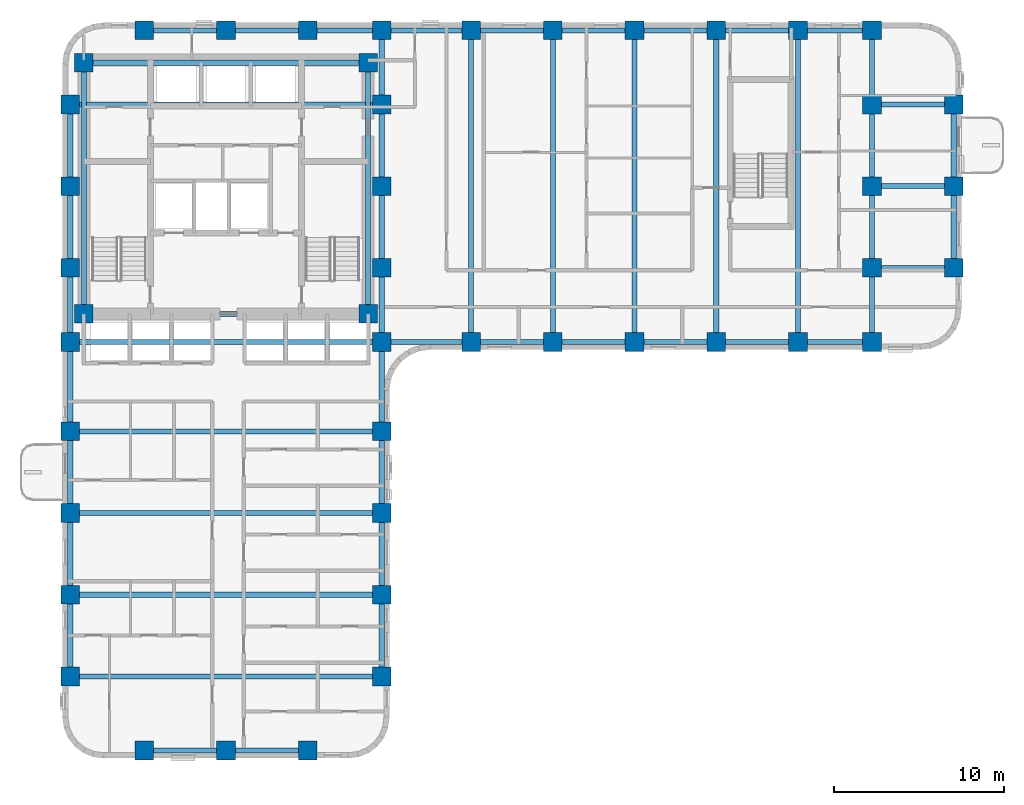
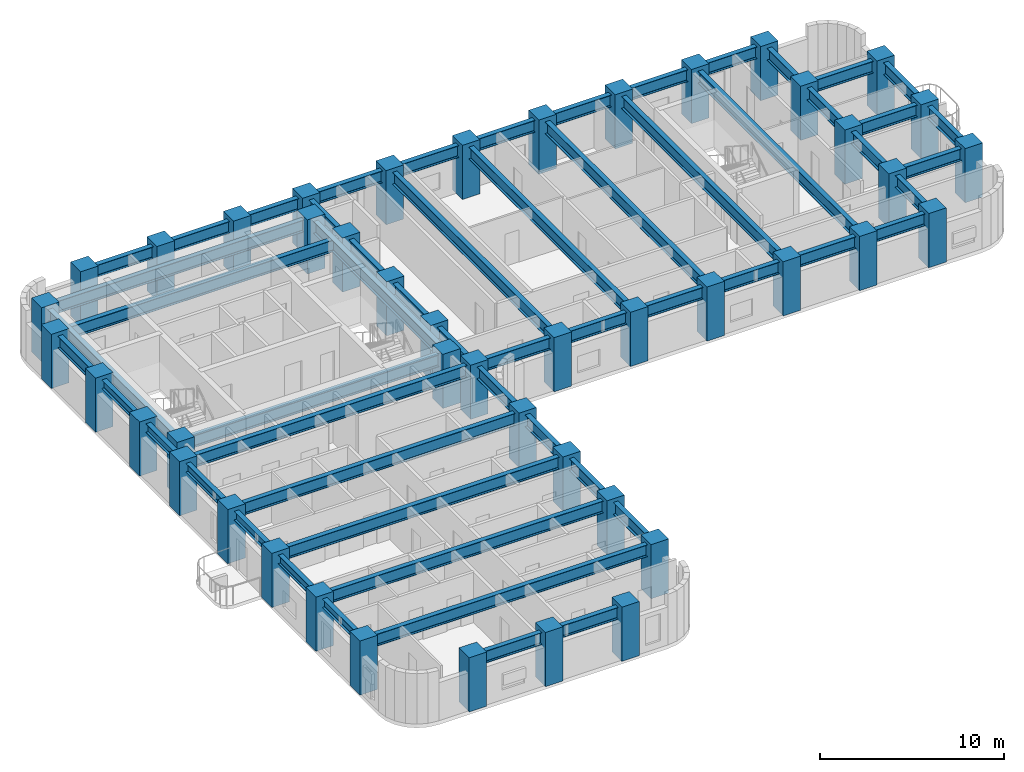
# One storey, part 1 of 11: 56 beams, 45 columns.
"""IFC4 building model written with IfcOpenShell, lengths in metres."""

from ifc_helpers import new_model, si_unit, direction, frame, origin, origin_2d, place, context, subcontext, project, spatial, rectangle, i_section, extrude, material, material_profile, profile_set, type_object, element, save


model = new_model("IFC4")

# Units and contexts
model_context = context("Model", 3, precision=1e-05, world=origin(), true_north=direction((0.0, 1.0)))
body_context = subcontext(model_context, "Body", "Model", "MODEL_VIEW")
ifc_project = project(units=[si_unit("LENGTHUNIT", "METRE"), si_unit("AREAUNIT", "SQUARE_METRE"), si_unit("VOLUMEUNIT", "CUBIC_METRE"), si_unit("PLANEANGLEUNIT", "RADIAN"), si_unit("MASSUNIT", "GRAM", prefix="KILO")], contexts=[model_context])

# Site, building, storey
site_placement = place(None, origin())
site = spatial("IfcSite", under=ifc_project, at=site_placement, CompositionType="ELEMENT")
building_placement = place(site_placement, origin())
building = spatial("IfcBuilding", under=site, at=building_placement, Name="Orvandelia Arch Residences", CompositionType="ELEMENT")
storey_placement = place(building_placement, frame((0.0, 0.0, 64.60009765625)))
storey = spatial("IfcBuildingStorey", under=building, at=storey_placement, Name="L16", CompositionType="ELEMENT", Elevation=64.60009765625)

# Columns
ifc_material_1 = material(Name="Concrete C80/95", Category="concrete")
ifc_material_profile_1 = material_profile(ifc_material_1, rectangle(XDim=1.10009765625, YDim=1.10009765625, at=origin_2d()), Name="Concrete C80/95", Category="concrete")
ifc_profile_set_1 = profile_set([ifc_material_profile_1], Name="Concrete C80/95")
column_type = type_object("IfcColumnType", Name="COL-TWR-1100", PredefinedType="COLUMN", material=ifc_profile_set_1)
for number, where, z_axis, x_axis, name in (
    (1, (5.25, 9.60009765625, 0.0), (0.0, 0.0, 1.0), (1.0, 0.0, 0.0), "Structural Column L16-W-W-96"),
    (2, (5.25, 14.39990234375, 0.0), (0.0, 0.0, 1.0), (1.0, 0.0, 0.0), "Structural Column L16-W-W-144"),
    (3, (5.25, 19.199951171875, 0.0), (0.0, 0.0, 1.0), (1.0, 0.0, 0.0), "Structural Column L16-W-W-192"),
    (4, (5.25, 24.0, 0.0), (0.0, 0.0, 1.0), (1.0, 0.0, 0.0), "Structural Column L16-W-W-240"),
    (5, (5.25, 29.25, 0.0), (0.0, 0.0, 1.0), (1.0, 0.0, 0.0), "Structural Column L16-W-W-292"),
    (6, (5.25, 33.60009765625, 0.0), (0.0, 0.0, 1.0), (1.0, 0.0, 0.0), "Structural Column L16-W-W-336"),
    (7, (5.25, 38.39990234375, 0.0), (0.0, 0.0, 1.0), (1.0, 0.0, 0.0), "Structural Column L16-W-W-384"),
    (8, (5.25, 43.199951171875, 0.0), (0.0, 0.0, 1.0), (1.0, 0.0, 0.0), "Structural Column L16-W-W-432"),
    (9, (6.050048828125, 30.89990234375, 0.0), (0.0, 0.0, 1.0), (1.0, 0.0, 0.0), "Structural Column L16-CR-SW"),
    (10, (6.050048828125, 45.64990234375, 0.0), (0.0, 0.0, 1.0), (1.0, 0.0, 0.0), "Structural Column L16-CR-NW"),
    (11, (9.60009765625, 5.25, 0.0), (0.0, 0.0, 1.0), (1.0, 0.0, 0.0), "Structural Column L16-W-S-96"),
    (12, (9.60009765625, 47.550048828125, 0.0), (0.0, 0.0, 1.0), (1.0, 0.0, 0.0), "Structural Column L16-W-N-96"),
    (13, (14.39990234375, 5.25, 0.0), (0.0, 0.0, 1.0), (1.0, 0.0, 0.0), "Structural Column L16-W-S-144"),
    (14, (14.39990234375, 47.550048828125, 0.0), (0.0, 0.0, 1.0), (1.0, 0.0, 0.0), "Structural Column L16-W-N-144"),
    (15, (19.199951171875, 5.25, 0.0), (0.0, 0.0, 1.0), (1.0, 0.0, 0.0), "Structural Column L16-W-S-192"),
    (16, (19.199951171875, 47.550048828125, 0.0), (0.0, 0.0, 1.0), (1.0, 0.0, 0.0), "Structural Column L16-W-N-192"),
    (17, (22.75, 30.89990234375, 0.0), (0.0, 0.0, 1.0), (1.0, 0.0, 0.0), "Structural Column L16-CR-SE"),
    (18, (22.75, 45.64990234375, 0.0), (0.0, 0.0, 1.0), (1.0, 0.0, 0.0), "Structural Column L16-CR-NE"),
    (19, (23.550048828125, 9.60009765625, 0.0), (0.0, 0.0, 1.0), (1.0, 0.0, 0.0), "Structural Column L16-W-E-96"),
    (20, (23.550048828125, 14.39990234375, 0.0), (0.0, 0.0, 1.0), (1.0, 0.0, 0.0), "Structural Column L16-W-E-144"),
    (21, (23.550048828125, 19.199951171875, 0.0), (0.0, 0.0, 1.0), (1.0, 0.0, 0.0), "Structural Column L16-W-E-192"),
    (22, (23.550048828125, 24.0, 0.0), (0.0, 0.0, 1.0), (1.0, 0.0, 0.0), "Structural Column L16-W-E-240"),
    (23, (23.550048828125, 29.25, 0.0), (0.0, 0.0, 1.0), (1.0, 0.0, 0.0), "Structural Column L16-W-E-292"),
    (24, (23.550048828125, 33.60009765625, 0.0), (0.0, 0.0, 1.0), (1.0, 0.0, 0.0), "Structural Column L16-W-E-336"),
    (25, (23.550048828125, 38.39990234375, 0.0), (0.0, 0.0, 1.0), (1.0, 0.0, 0.0), "Structural Column L16-W-E-384"),
    (26, (23.550048828125, 43.199951171875, 0.0), (0.0, 0.0, 1.0), (1.0, 0.0, 0.0), "Structural Column L16-W-E-432"),
    (27, (23.550048828125, 47.550048828125, 0.0), (0.0, 0.0, 1.0), (1.0, 0.0, 0.0), "Structural Column L16-W-N-235"),
    (28, (28.800048828125, 29.25, 0.0), (0.0, 0.0, 1.0), (1.0, 0.0, 0.0), "Structural Column L16-E-S-288"),
    (29, (28.800048828125, 47.550048828125, 0.0), (0.0, 0.0, 1.0), (1.0, 0.0, 0.0), "Structural Column L16-E-N-288"),
    (30, (33.60009765625, 29.25, 0.0), (0.0, 0.0, 1.0), (1.0, 0.0, 0.0), "Structural Column L16-E-S-336"),
    (31, (33.60009765625, 47.550048828125, 0.0), (0.0, 0.0, 1.0), (1.0, 0.0, 0.0), "Structural Column L16-E-N-336"),
    (32, (38.39990234375, 29.25, 0.0), (0.0, 0.0, 1.0), (1.0, 0.0, 0.0), "Structural Column L16-E-S-384"),
    (33, (38.39990234375, 47.550048828125, 0.0), (0.0, 0.0, 1.0), (1.0, 0.0, 0.0), "Structural Column L16-E-N-384"),
    (34, (43.199951171875, 29.25, 0.0), (0.0, 0.0, 1.0), (1.0, 0.0, 0.0), "Structural Column L16-E-S-432"),
    (35, (43.199951171875, 47.550048828125, 0.0), (0.0, 0.0, 1.0), (1.0, 0.0, 0.0), "Structural Column L16-E-N-432"),
    (36, (48.0, 29.25, 0.0), (0.0, 0.0, 1.0), (1.0, 0.0, 0.0), "Structural Column L16-E-S-480"),
    (37, (48.0, 47.550048828125, 0.0), (0.0, 0.0, 1.0), (1.0, 0.0, 0.0), "Structural Column L16-E-N-480"),
    (38, (52.35009765625, 29.25, 0.0), (0.0, 0.0, 1.0), (1.0, 0.0, 0.0), "Structural Column L16-E-S-523"),
    (39, (52.35009765625, 33.60009765625, 0.0), (0.0, 0.0, 1.0), (1.0, 0.0, 0.0), "Structural Column L16-E-523-336"),
    (40, (52.35009765625, 38.39990234375, 0.0), (0.0, 0.0, 1.0), (1.0, 0.0, 0.0), "Structural Column L16-E-523-384"),
    (41, (52.35009765625, 43.199951171875, 0.0), (0.0, 0.0, 1.0), (1.0, 0.0, 0.0), "Structural Column L16-E-523-432"),
    (42, (52.35009765625, 47.550048828125, 0.0), (0.0, 0.0, 1.0), (1.0, 0.0, 0.0), "Structural Column L16-E-N-523"),
    (43, (57.14990234375, 33.60009765625, 0.0), (0.0, 0.0, 1.0), (1.0, 0.0, 0.0), "Structural Column L16-E-571-336"),
    (44, (57.14990234375, 38.39990234375, 0.0), (0.0, 0.0, 1.0), (1.0, 0.0, 0.0), "Structural Column L16-E-571-384"),
    (45, (57.14990234375, 43.199951171875, 0.0), (0.0, 0.0, 1.0), (1.0, 0.0, 0.0), "Structural Column L16-E-571-432"),
):
    element("IfcColumn", number, at=place(storey_placement, frame(where, z_axis=z_axis, x_axis=x_axis)), inside=storey, type_object=column_type, Name=name, PredefinedType="COLUMN", context=body_context, shape_type="SweptSolid", body=[
        extrude(rectangle(XDim=1.10009765625, YDim=1.10009765625, at=origin_2d()), origin(), (0.0, 0.0, 1.0), 3.599853515625),
    ])

# Beams
ifc_material_2 = material(Name="Structural Steel SM355 (355 MPa)", Category="steel")
ifc_material_profile_2 = material_profile(ifc_material_2, i_section(OverallWidth=0.300048828125, OverallDepth=0.800048828125, WebThickness=0.013916015625, FlangeThickness=0.02587890625, FilletRadius=0.02587890625, at=origin_2d()), Name="Structural Steel SM355 (355 MPa)", Category="steel")
ifc_profile_set_2 = profile_set([ifc_material_profile_2], Name="Structural Steel SM355 (355 MPa)")
beam_type_1 = type_object("IfcBeamType", Name="BM-GRD-H800", PredefinedType="BEAM", material=ifc_profile_set_2)
beam_1_placement = place(storey_placement, frame((5.25, 38.39990234375, 2.949951171875), z_axis=(0.0, 1.0, 0.0), x_axis=(-1.0, 0.0, 0.0)))
element("IfcBeam", 46, at=beam_1_placement, inside=storey, type_object=beam_type_1, Name="Structural Frame Beam L16-NS-007", PredefinedType="BEAM", context=body_context, shape_type="SweptSolid", body=[
    extrude(i_section(OverallWidth=0.300048828125, OverallDepth=0.800048828125, WebThickness=0.013916015625, FlangeThickness=0.02587890625, FilletRadius=0.02587890625, at=origin_2d()), origin(), (0.0, 0.0, 1.0), 4.800048828125),
])
for number, where, z_axis, x_axis, name in (
    (47, (6.050048828125, 30.89990234375, 2.949951171875), (0.0, 1.0, 0.0), (-1.0, 0.0, 0.0), "Structural Frame Beam L16-NS-008"),
    (48, (22.75, 30.89990234375, 2.949951171875), (0.0, 1.0, 0.0), (-1.0, 0.0, 0.0), "Structural Frame Beam L16-NS-009"),
):
    element("IfcBeam", number, at=place(storey_placement, frame(where, z_axis=z_axis, x_axis=x_axis)), inside=storey, type_object=beam_type_1, Name=name, PredefinedType="BEAM", context=body_context, shape_type="SweptSolid", body=[
        extrude(i_section(OverallWidth=0.300048828125, OverallDepth=0.800048828125, WebThickness=0.013916015625, FlangeThickness=0.02587890625, FilletRadius=0.02587890625, at=origin_2d()), origin(), (0.0, 0.0, 1.0), 14.75),
    ])
beam_2_placement = place(storey_placement, frame((23.550048828125, 9.60009765625, 2.949951171875), z_axis=(0.0, 1.0, 0.0), x_axis=(-1.0, 0.0, 0.0)))
element("IfcBeam", 49, at=beam_2_placement, inside=storey, type_object=beam_type_1, Name="Structural Frame Beam L16-NS-010", PredefinedType="BEAM", context=body_context, shape_type="SweptSolid", body=[
    extrude(i_section(OverallWidth=0.300048828125, OverallDepth=0.800048828125, WebThickness=0.013916015625, FlangeThickness=0.02587890625, FilletRadius=0.02587890625, at=origin_2d()), origin(), (0.0, 0.0, 1.0), 4.7998046875),
])
for number, where, z_axis, x_axis, name in (
    (50, (23.550048828125, 14.39990234375, 2.949951171875), (0.0, 1.0, 0.0), (-1.0, 0.0, 0.0), "Structural Frame Beam L16-NS-011"),
    (51, (23.550048828125, 19.199951171875, 2.949951171875), (0.0, 1.0, 0.0), (-1.0, 0.0, 0.0), "Structural Frame Beam L16-NS-012"),
):
    element("IfcBeam", number, at=place(storey_placement, frame(where, z_axis=z_axis, x_axis=x_axis)), inside=storey, type_object=beam_type_1, Name=name, PredefinedType="BEAM", context=body_context, shape_type="SweptSolid", body=[
        extrude(i_section(OverallWidth=0.300048828125, OverallDepth=0.800048828125, WebThickness=0.013916015625, FlangeThickness=0.02587890625, FilletRadius=0.02587890625, at=origin_2d()), origin(), (0.0, 0.0, 1.0), 4.800048828125),
    ])
beam_3_placement = place(storey_placement, frame((23.550048828125, 24.0, 2.949951171875), z_axis=(0.0, 1.0, 0.0), x_axis=(-1.0, 0.0, 0.0)))
element("IfcBeam", 52, at=beam_3_placement, inside=storey, type_object=beam_type_1, Name="Structural Frame Beam L16-NS-013", PredefinedType="BEAM", context=body_context, shape_type="SweptSolid", body=[
    extrude(i_section(OverallWidth=0.300048828125, OverallDepth=0.800048828125, WebThickness=0.013916015625, FlangeThickness=0.02587890625, FilletRadius=0.02587890625, at=origin_2d()), origin(), (0.0, 0.0, 1.0), 5.25),
])
beam_4_placement = place(storey_placement, frame((23.550048828125, 29.25, 2.949951171875), z_axis=(0.0, 1.0, 0.0), x_axis=(-1.0, 0.0, 0.0)))
element("IfcBeam", 53, at=beam_4_placement, inside=storey, type_object=beam_type_1, Name="Structural Frame Beam L16-NS-014", PredefinedType="BEAM", context=body_context, shape_type="SweptSolid", body=[
    extrude(i_section(OverallWidth=0.300048828125, OverallDepth=0.800048828125, WebThickness=0.013916015625, FlangeThickness=0.02587890625, FilletRadius=0.02587890625, at=origin_2d()), origin(), (0.0, 0.0, 1.0), 4.35009765625),
])
beam_5_placement = place(storey_placement, frame((23.550048828125, 33.60009765625, 2.949951171875), z_axis=(0.0, 1.0, 0.0), x_axis=(-1.0, 0.0, 0.0)))
element("IfcBeam", 54, at=beam_5_placement, inside=storey, type_object=beam_type_1, Name="Structural Frame Beam L16-NS-015", PredefinedType="BEAM", context=body_context, shape_type="SweptSolid", body=[
    extrude(i_section(OverallWidth=0.300048828125, OverallDepth=0.800048828125, WebThickness=0.013916015625, FlangeThickness=0.02587890625, FilletRadius=0.02587890625, at=origin_2d()), origin(), (0.0, 0.0, 1.0), 4.7998046875),
])
beam_6_placement = place(storey_placement, frame((23.550048828125, 38.39990234375, 2.949951171875), z_axis=(0.0, 1.0, 0.0), x_axis=(-1.0, 0.0, 0.0)))
element("IfcBeam", 55, at=beam_6_placement, inside=storey, type_object=beam_type_1, Name="Structural Frame Beam L16-NS-016", PredefinedType="BEAM", context=body_context, shape_type="SweptSolid", body=[
    extrude(i_section(OverallWidth=0.300048828125, OverallDepth=0.800048828125, WebThickness=0.013916015625, FlangeThickness=0.02587890625, FilletRadius=0.02587890625, at=origin_2d()), origin(), (0.0, 0.0, 1.0), 4.800048828125),
])
beam_7_placement = place(storey_placement, frame((23.550048828125, 43.199951171875, 2.949951171875), z_axis=(0.0, 1.0, 0.0), x_axis=(-1.0, 0.0, 0.0)))
element("IfcBeam", 56, at=beam_7_placement, inside=storey, type_object=beam_type_1, Name="Structural Frame Beam L16-NS-017", PredefinedType="BEAM", context=body_context, shape_type="SweptSolid", body=[
    extrude(i_section(OverallWidth=0.300048828125, OverallDepth=0.800048828125, WebThickness=0.013916015625, FlangeThickness=0.02587890625, FilletRadius=0.02587890625, at=origin_2d()), origin(), (0.0, 0.0, 1.0), 4.35009765625),
])
for number, where, z_axis, x_axis, name in (
    (57, (28.800048828125, 29.25, 2.949951171875), (0.0, 1.0, 0.0), (-1.0, 0.0, 0.0), "Structural Frame Beam L16-NS-018"),
    (58, (33.60009765625, 29.25, 2.949951171875), (0.0, 1.0, 0.0), (-1.0, 0.0, 0.0), "Structural Frame Beam L16-NS-019"),
    (59, (38.39990234375, 29.25, 2.949951171875), (0.0, 1.0, 0.0), (-1.0, 0.0, 0.0), "Structural Frame Beam L16-NS-020"),
    (60, (43.199951171875, 29.25, 2.949951171875), (0.0, 1.0, 0.0), (-1.0, 0.0, 0.0), "Structural Frame Beam L16-NS-021"),
    (61, (48.0, 29.25, 2.949951171875), (0.0, 1.0, 0.0), (-1.0, 0.0, 0.0), "Structural Frame Beam L16-NS-022"),
):
    element("IfcBeam", number, at=place(storey_placement, frame(where, z_axis=z_axis, x_axis=x_axis)), inside=storey, type_object=beam_type_1, Name=name, PredefinedType="BEAM", context=body_context, shape_type="SweptSolid", body=[
        extrude(i_section(OverallWidth=0.300048828125, OverallDepth=0.800048828125, WebThickness=0.013916015625, FlangeThickness=0.02587890625, FilletRadius=0.02587890625, at=origin_2d()), origin(), (0.0, 0.0, 1.0), 18.300048828125),
    ])
beam_8_placement = place(storey_placement, frame((52.35009765625, 29.25, 2.949951171875), z_axis=(0.0, 1.0, 0.0), x_axis=(-1.0, 0.0, 0.0)))
element("IfcBeam", 62, at=beam_8_placement, inside=storey, type_object=beam_type_1, Name="Structural Frame Beam L16-NS-023", PredefinedType="BEAM", context=body_context, shape_type="SweptSolid", body=[
    extrude(i_section(OverallWidth=0.300048828125, OverallDepth=0.800048828125, WebThickness=0.013916015625, FlangeThickness=0.02587890625, FilletRadius=0.02587890625, at=origin_2d()), origin(), (0.0, 0.0, 1.0), 4.35009765625),
])
beam_9_placement = place(storey_placement, frame((52.35009765625, 33.60009765625, 2.949951171875), z_axis=(0.0, 1.0, 0.0), x_axis=(-1.0, 0.0, 0.0)))
element("IfcBeam", 63, at=beam_9_placement, inside=storey, type_object=beam_type_1, Name="Structural Frame Beam L16-NS-024", PredefinedType="BEAM", context=body_context, shape_type="SweptSolid", body=[
    extrude(i_section(OverallWidth=0.300048828125, OverallDepth=0.800048828125, WebThickness=0.013916015625, FlangeThickness=0.02587890625, FilletRadius=0.02587890625, at=origin_2d()), origin(), (0.0, 0.0, 1.0), 4.7998046875),
])
beam_10_placement = place(storey_placement, frame((52.35009765625, 38.39990234375, 2.949951171875), z_axis=(0.0, 1.0, 0.0), x_axis=(-1.0, 0.0, 0.0)))
element("IfcBeam", 64, at=beam_10_placement, inside=storey, type_object=beam_type_1, Name="Structural Frame Beam L16-NS-025", PredefinedType="BEAM", context=body_context, shape_type="SweptSolid", body=[
    extrude(i_section(OverallWidth=0.300048828125, OverallDepth=0.800048828125, WebThickness=0.013916015625, FlangeThickness=0.02587890625, FilletRadius=0.02587890625, at=origin_2d()), origin(), (0.0, 0.0, 1.0), 4.800048828125),
])
beam_11_placement = place(storey_placement, frame((52.35009765625, 43.199951171875, 2.949951171875), z_axis=(0.0, 1.0, 0.0), x_axis=(-1.0, 0.0, 0.0)))
element("IfcBeam", 65, at=beam_11_placement, inside=storey, type_object=beam_type_1, Name="Structural Frame Beam L16-NS-026", PredefinedType="BEAM", context=body_context, shape_type="SweptSolid", body=[
    extrude(i_section(OverallWidth=0.300048828125, OverallDepth=0.800048828125, WebThickness=0.013916015625, FlangeThickness=0.02587890625, FilletRadius=0.02587890625, at=origin_2d()), origin(), (0.0, 0.0, 1.0), 4.35009765625),
])
beam_12_placement = place(storey_placement, frame((57.14990234375, 33.60009765625, 2.949951171875), z_axis=(0.0, 1.0, 0.0), x_axis=(-1.0, 0.0, 0.0)))
element("IfcBeam", 66, at=beam_12_placement, inside=storey, type_object=beam_type_1, Name="Structural Frame Beam L16-NS-027", PredefinedType="BEAM", context=body_context, shape_type="SweptSolid", body=[
    extrude(i_section(OverallWidth=0.300048828125, OverallDepth=0.800048828125, WebThickness=0.013916015625, FlangeThickness=0.02587890625, FilletRadius=0.02587890625, at=origin_2d()), origin(), (0.0, 0.0, 1.0), 4.7998046875),
])
beam_13_placement = place(storey_placement, frame((57.14990234375, 38.39990234375, 2.949951171875), z_axis=(0.0, 1.0, 0.0), x_axis=(-1.0, 0.0, 0.0)))
element("IfcBeam", 67, at=beam_13_placement, inside=storey, type_object=beam_type_1, Name="Structural Frame Beam L16-NS-028", PredefinedType="BEAM", context=body_context, shape_type="SweptSolid", body=[
    extrude(i_section(OverallWidth=0.300048828125, OverallDepth=0.800048828125, WebThickness=0.013916015625, FlangeThickness=0.02587890625, FilletRadius=0.02587890625, at=origin_2d()), origin(), (0.0, 0.0, 1.0), 4.800048828125),
])
beam_14_placement = place(storey_placement, frame((9.60009765625, 5.25, 2.949951171875), z_axis=(1.0, 0.0, 0.0), x_axis=(0.0, 1.0, 0.0)))
element("IfcBeam", 68, at=beam_14_placement, inside=storey, type_object=beam_type_1, Name="Structural Frame Girder L16-EW-029", PredefinedType="BEAM", context=body_context, shape_type="SweptSolid", body=[
    extrude(i_section(OverallWidth=0.300048828125, OverallDepth=0.800048828125, WebThickness=0.013916015625, FlangeThickness=0.02587890625, FilletRadius=0.02587890625, at=origin_2d()), origin(), (0.0, 0.0, 1.0), 4.7998046875),
])
beam_15_placement = place(storey_placement, frame((14.39990234375, 5.25, 2.949951171875), z_axis=(1.0, 0.0, 0.0), x_axis=(0.0, 1.0, 0.0)))
element("IfcBeam", 69, at=beam_15_placement, inside=storey, type_object=beam_type_1, Name="Structural Frame Girder L16-EW-030", PredefinedType="BEAM", context=body_context, shape_type="SweptSolid", body=[
    extrude(i_section(OverallWidth=0.300048828125, OverallDepth=0.800048828125, WebThickness=0.013916015625, FlangeThickness=0.02587890625, FilletRadius=0.02587890625, at=origin_2d()), origin(), (0.0, 0.0, 1.0), 4.800048828125),
])
for number, where, z_axis, x_axis, name in (
    (70, (5.25, 9.60009765625, 2.949951171875), (1.0, 0.0, 0.0), (0.0, 1.0, 0.0), "Structural Frame Girder L16-EW-031"),
    (71, (5.25, 14.39990234375, 2.949951171875), (1.0, 0.0, 0.0), (0.0, 1.0, 0.0), "Structural Frame Girder L16-EW-032"),
    (72, (5.25, 19.199951171875, 2.949951171875), (1.0, 0.0, 0.0), (0.0, 1.0, 0.0), "Structural Frame Girder L16-EW-033"),
    (73, (5.25, 24.0, 2.949951171875), (1.0, 0.0, 0.0), (0.0, 1.0, 0.0), "Structural Frame Girder L16-EW-034"),
    (74, (5.25, 29.25, 2.949951171875), (1.0, 0.0, 0.0), (0.0, 1.0, 0.0), "Structural Frame Girder L16-EW-035"),
):
    element("IfcBeam", number, at=place(storey_placement, frame(where, z_axis=z_axis, x_axis=x_axis)), inside=storey, type_object=beam_type_1, Name=name, PredefinedType="BEAM", context=body_context, shape_type="SweptSolid", body=[
        extrude(i_section(OverallWidth=0.300048828125, OverallDepth=0.800048828125, WebThickness=0.013916015625, FlangeThickness=0.02587890625, FilletRadius=0.02587890625, at=origin_2d()), origin(), (0.0, 0.0, 1.0), 18.300048828125),
    ])
beam_16_placement = place(storey_placement, frame((23.550048828125, 29.25, 2.949951171875), z_axis=(1.0, 0.0, 0.0), x_axis=(0.0, 1.0, 0.0)))
element("IfcBeam", 75, at=beam_16_placement, inside=storey, type_object=beam_type_1, Name="Structural Frame Girder L16-EW-036", PredefinedType="BEAM", context=body_context, shape_type="SweptSolid", body=[
    extrude(i_section(OverallWidth=0.300048828125, OverallDepth=0.800048828125, WebThickness=0.013916015625, FlangeThickness=0.02587890625, FilletRadius=0.02587890625, at=origin_2d()), origin(), (0.0, 0.0, 1.0), 5.25),
])
beam_17_placement = place(storey_placement, frame((28.800048828125, 29.25, 2.949951171875), z_axis=(1.0, 0.0, 0.0), x_axis=(0.0, 1.0, 0.0)))
element("IfcBeam", 76, at=beam_17_placement, inside=storey, type_object=beam_type_1, Name="Structural Frame Girder L16-EW-037", PredefinedType="BEAM", context=body_context, shape_type="SweptSolid", body=[
    extrude(i_section(OverallWidth=0.300048828125, OverallDepth=0.800048828125, WebThickness=0.013916015625, FlangeThickness=0.02587890625, FilletRadius=0.02587890625, at=origin_2d()), origin(), (0.0, 0.0, 1.0), 4.800048828125),
])
beam_18_placement = place(storey_placement, frame((33.60009765625, 29.25, 2.949951171875), z_axis=(1.0, 0.0, 0.0), x_axis=(0.0, 1.0, 0.0)))
element("IfcBeam", 77, at=beam_18_placement, inside=storey, type_object=beam_type_1, Name="Structural Frame Girder L16-EW-038", PredefinedType="BEAM", context=body_context, shape_type="SweptSolid", body=[
    extrude(i_section(OverallWidth=0.300048828125, OverallDepth=0.800048828125, WebThickness=0.013916015625, FlangeThickness=0.02587890625, FilletRadius=0.02587890625, at=origin_2d()), origin(), (0.0, 0.0, 1.0), 4.7998046875),
])
for number, where, z_axis, x_axis, name in (
    (78, (38.39990234375, 29.25, 2.949951171875), (1.0, 0.0, 0.0), (0.0, 1.0, 0.0), "Structural Frame Girder L16-EW-039"),
    (79, (43.199951171875, 29.25, 2.949951171875), (1.0, 0.0, 0.0), (0.0, 1.0, 0.0), "Structural Frame Girder L16-EW-040"),
):
    element("IfcBeam", number, at=place(storey_placement, frame(where, z_axis=z_axis, x_axis=x_axis)), inside=storey, type_object=beam_type_1, Name=name, PredefinedType="BEAM", context=body_context, shape_type="SweptSolid", body=[
        extrude(i_section(OverallWidth=0.300048828125, OverallDepth=0.800048828125, WebThickness=0.013916015625, FlangeThickness=0.02587890625, FilletRadius=0.02587890625, at=origin_2d()), origin(), (0.0, 0.0, 1.0), 4.800048828125),
    ])
beam_19_placement = place(storey_placement, frame((48.0, 29.25, 2.949951171875), z_axis=(1.0, 0.0, 0.0), x_axis=(0.0, 1.0, 0.0)))
element("IfcBeam", 80, at=beam_19_placement, inside=storey, type_object=beam_type_1, Name="Structural Frame Girder L16-EW-041", PredefinedType="BEAM", context=body_context, shape_type="SweptSolid", body=[
    extrude(i_section(OverallWidth=0.300048828125, OverallDepth=0.800048828125, WebThickness=0.013916015625, FlangeThickness=0.02587890625, FilletRadius=0.02587890625, at=origin_2d()), origin(), (0.0, 0.0, 1.0), 4.35009765625),
])
beam_20_placement = place(storey_placement, frame((6.050048828125, 30.89990234375, 2.949951171875), z_axis=(1.0, 0.0, 0.0), x_axis=(0.0, 1.0, 0.0)))
element("IfcBeam", 81, at=beam_20_placement, inside=storey, type_object=beam_type_1, Name="Structural Frame Girder L16-EW-042", PredefinedType="BEAM", context=body_context, shape_type="SweptSolid", body=[
    extrude(i_section(OverallWidth=0.300048828125, OverallDepth=0.800048828125, WebThickness=0.013916015625, FlangeThickness=0.02587890625, FilletRadius=0.02587890625, at=origin_2d()), origin(), (0.0, 0.0, 1.0), 16.699951171875),
])
for number, where, z_axis, x_axis, name in (
    (82, (52.35009765625, 33.60009765625, 2.949951171875), (1.0, 0.0, 0.0), (0.0, 1.0, 0.0), "Structural Frame Girder L16-EW-044"),
    (83, (52.35009765625, 38.39990234375, 2.949951171875), (1.0, 0.0, 0.0), (0.0, 1.0, 0.0), "Structural Frame Girder L16-EW-046"),
):
    element("IfcBeam", number, at=place(storey_placement, frame(where, z_axis=z_axis, x_axis=x_axis)), inside=storey, type_object=beam_type_1, Name=name, PredefinedType="BEAM", context=body_context, shape_type="SweptSolid", body=[
        extrude(i_section(OverallWidth=0.300048828125, OverallDepth=0.800048828125, WebThickness=0.013916015625, FlangeThickness=0.02587890625, FilletRadius=0.02587890625, at=origin_2d()), origin(), (0.0, 0.0, 1.0), 4.7998046875),
    ])
beam_21_placement = place(storey_placement, frame((5.25, 43.199951171875, 2.949951171875), z_axis=(1.0, 0.0, 0.0), x_axis=(0.0, 1.0, 0.0)))
element("IfcBeam", 84, at=beam_21_placement, inside=storey, type_object=beam_type_1, Name="Structural Frame Girder L16-EW-047", PredefinedType="BEAM", context=body_context, shape_type="SweptSolid", body=[
    extrude(i_section(OverallWidth=0.300048828125, OverallDepth=0.800048828125, WebThickness=0.013916015625, FlangeThickness=0.02587890625, FilletRadius=0.02587890625, at=origin_2d()), origin(), (0.0, 0.0, 1.0), 18.300048828125),
])
beam_22_placement = place(storey_placement, frame((52.35009765625, 43.199951171875, 2.949951171875), z_axis=(1.0, 0.0, 0.0), x_axis=(0.0, 1.0, 0.0)))
element("IfcBeam", 85, at=beam_22_placement, inside=storey, type_object=beam_type_1, Name="Structural Frame Girder L16-EW-048", PredefinedType="BEAM", context=body_context, shape_type="SweptSolid", body=[
    extrude(i_section(OverallWidth=0.300048828125, OverallDepth=0.800048828125, WebThickness=0.013916015625, FlangeThickness=0.02587890625, FilletRadius=0.02587890625, at=origin_2d()), origin(), (0.0, 0.0, 1.0), 4.7998046875),
])
beam_23_placement = place(storey_placement, frame((6.050048828125, 45.64990234375, 2.949951171875), z_axis=(1.0, 0.0, 0.0), x_axis=(0.0, 1.0, 0.0)))
element("IfcBeam", 86, at=beam_23_placement, inside=storey, type_object=beam_type_1, Name="Structural Frame Girder L16-EW-049", PredefinedType="BEAM", context=body_context, shape_type="SweptSolid", body=[
    extrude(i_section(OverallWidth=0.300048828125, OverallDepth=0.800048828125, WebThickness=0.013916015625, FlangeThickness=0.02587890625, FilletRadius=0.02587890625, at=origin_2d()), origin(), (0.0, 0.0, 1.0), 16.699951171875),
])
beam_24_placement = place(storey_placement, frame((9.60009765625, 47.550048828125, 2.949951171875), z_axis=(1.0, 0.0, 0.0), x_axis=(0.0, 1.0, 0.0)))
element("IfcBeam", 87, at=beam_24_placement, inside=storey, type_object=beam_type_1, Name="Structural Frame Girder L16-EW-050", PredefinedType="BEAM", context=body_context, shape_type="SweptSolid", body=[
    extrude(i_section(OverallWidth=0.300048828125, OverallDepth=0.800048828125, WebThickness=0.013916015625, FlangeThickness=0.02587890625, FilletRadius=0.02587890625, at=origin_2d()), origin(), (0.0, 0.0, 1.0), 4.7998046875),
])
beam_25_placement = place(storey_placement, frame((14.39990234375, 47.550048828125, 2.949951171875), z_axis=(1.0, 0.0, 0.0), x_axis=(0.0, 1.0, 0.0)))
element("IfcBeam", 88, at=beam_25_placement, inside=storey, type_object=beam_type_1, Name="Structural Frame Girder L16-EW-051", PredefinedType="BEAM", context=body_context, shape_type="SweptSolid", body=[
    extrude(i_section(OverallWidth=0.300048828125, OverallDepth=0.800048828125, WebThickness=0.013916015625, FlangeThickness=0.02587890625, FilletRadius=0.02587890625, at=origin_2d()), origin(), (0.0, 0.0, 1.0), 4.800048828125),
])
beam_26_placement = place(storey_placement, frame((19.199951171875, 47.550048828125, 2.949951171875), z_axis=(1.0, 0.0, 0.0), x_axis=(0.0, 1.0, 0.0)))
element("IfcBeam", 89, at=beam_26_placement, inside=storey, type_object=beam_type_1, Name="Structural Frame Girder L16-EW-052", PredefinedType="BEAM", context=body_context, shape_type="SweptSolid", body=[
    extrude(i_section(OverallWidth=0.300048828125, OverallDepth=0.800048828125, WebThickness=0.013916015625, FlangeThickness=0.02587890625, FilletRadius=0.02587890625, at=origin_2d()), origin(), (0.0, 0.0, 1.0), 4.35009765625),
])
beam_27_placement = place(storey_placement, frame((23.550048828125, 47.550048828125, 2.949951171875), z_axis=(1.0, 0.0, 0.0), x_axis=(0.0, 1.0, 0.0)))
element("IfcBeam", 90, at=beam_27_placement, inside=storey, type_object=beam_type_1, Name="Structural Frame Girder L16-EW-053", PredefinedType="BEAM", context=body_context, shape_type="SweptSolid", body=[
    extrude(i_section(OverallWidth=0.300048828125, OverallDepth=0.800048828125, WebThickness=0.013916015625, FlangeThickness=0.02587890625, FilletRadius=0.02587890625, at=origin_2d()), origin(), (0.0, 0.0, 1.0), 5.25),
])
beam_28_placement = place(storey_placement, frame((28.800048828125, 47.550048828125, 2.949951171875), z_axis=(1.0, 0.0, 0.0), x_axis=(0.0, 1.0, 0.0)))
element("IfcBeam", 91, at=beam_28_placement, inside=storey, type_object=beam_type_1, Name="Structural Frame Girder L16-EW-054", PredefinedType="BEAM", context=body_context, shape_type="SweptSolid", body=[
    extrude(i_section(OverallWidth=0.300048828125, OverallDepth=0.800048828125, WebThickness=0.013916015625, FlangeThickness=0.02587890625, FilletRadius=0.02587890625, at=origin_2d()), origin(), (0.0, 0.0, 1.0), 4.800048828125),
])
beam_29_placement = place(storey_placement, frame((33.60009765625, 47.550048828125, 2.949951171875), z_axis=(1.0, 0.0, 0.0), x_axis=(0.0, 1.0, 0.0)))
element("IfcBeam", 92, at=beam_29_placement, inside=storey, type_object=beam_type_1, Name="Structural Frame Girder L16-EW-055", PredefinedType="BEAM", context=body_context, shape_type="SweptSolid", body=[
    extrude(i_section(OverallWidth=0.300048828125, OverallDepth=0.800048828125, WebThickness=0.013916015625, FlangeThickness=0.02587890625, FilletRadius=0.02587890625, at=origin_2d()), origin(), (0.0, 0.0, 1.0), 4.7998046875),
])
for number, where, z_axis, x_axis, name in (
    (93, (38.39990234375, 47.550048828125, 2.949951171875), (1.0, 0.0, 0.0), (0.0, 1.0, 0.0), "Structural Frame Girder L16-EW-056"),
    (94, (43.199951171875, 47.550048828125, 2.949951171875), (1.0, 0.0, 0.0), (0.0, 1.0, 0.0), "Structural Frame Girder L16-EW-057"),
):
    element("IfcBeam", number, at=place(storey_placement, frame(where, z_axis=z_axis, x_axis=x_axis)), inside=storey, type_object=beam_type_1, Name=name, PredefinedType="BEAM", context=body_context, shape_type="SweptSolid", body=[
        extrude(i_section(OverallWidth=0.300048828125, OverallDepth=0.800048828125, WebThickness=0.013916015625, FlangeThickness=0.02587890625, FilletRadius=0.02587890625, at=origin_2d()), origin(), (0.0, 0.0, 1.0), 4.800048828125),
    ])
beam_30_placement = place(storey_placement, frame((48.0, 47.550048828125, 2.949951171875), z_axis=(1.0, 0.0, 0.0), x_axis=(0.0, 1.0, 0.0)))
element("IfcBeam", 95, at=beam_30_placement, inside=storey, type_object=beam_type_1, Name="Structural Frame Girder L16-EW-058", PredefinedType="BEAM", context=body_context, shape_type="SweptSolid", body=[
    extrude(i_section(OverallWidth=0.300048828125, OverallDepth=0.800048828125, WebThickness=0.013916015625, FlangeThickness=0.02587890625, FilletRadius=0.02587890625, at=origin_2d()), origin(), (0.0, 0.0, 1.0), 4.35009765625),
])
ifc_material_profile_3 = material_profile(ifc_material_2, i_section(OverallWidth=0.300048828125, OverallDepth=0.587890625, WebThickness=0.011962890625, FlangeThickness=0.02001953125, FilletRadius=0.02197265625, at=origin_2d()), Name="Structural Steel SM355 (355 MPa)", Category="steel")
ifc_profile_set_3 = profile_set([ifc_material_profile_3], Name="Structural Steel SM355 (355 MPa)")
beam_type_2 = type_object("IfcBeamType", Name="BM-SPN-H588", PredefinedType="SPANDREL", material=ifc_profile_set_3)
beam_31_placement = place(storey_placement, frame((5.25, 9.60009765625, 3.055908203125), z_axis=(0.0, 1.0, 0.0), x_axis=(-1.0, 0.0, 0.0)))
element("IfcBeam", 96, at=beam_31_placement, inside=storey, type_object=beam_type_2, Name="Structural Frame Beam L16-NS-001", PredefinedType="SPANDREL", context=body_context, shape_type="SweptSolid", body=[
    extrude(i_section(OverallWidth=0.300048828125, OverallDepth=0.587890625, WebThickness=0.011962890625, FlangeThickness=0.02001953125, FilletRadius=0.02197265625, at=origin_2d()), origin(), (0.0, 0.0, 1.0), 4.7998046875),
])
for number, where, z_axis, x_axis, name in (
    (97, (5.25, 14.39990234375, 3.055908203125), (0.0, 1.0, 0.0), (-1.0, 0.0, 0.0), "Structural Frame Beam L16-NS-002"),
    (98, (5.25, 19.199951171875, 3.055908203125), (0.0, 1.0, 0.0), (-1.0, 0.0, 0.0), "Structural Frame Beam L16-NS-003"),
):
    element("IfcBeam", number, at=place(storey_placement, frame(where, z_axis=z_axis, x_axis=x_axis)), inside=storey, type_object=beam_type_2, Name=name, PredefinedType="SPANDREL", context=body_context, shape_type="SweptSolid", body=[
        extrude(i_section(OverallWidth=0.300048828125, OverallDepth=0.587890625, WebThickness=0.011962890625, FlangeThickness=0.02001953125, FilletRadius=0.02197265625, at=origin_2d()), origin(), (0.0, 0.0, 1.0), 4.800048828125),
    ])
beam_32_placement = place(storey_placement, frame((5.25, 24.0, 3.055908203125), z_axis=(0.0, 1.0, 0.0), x_axis=(-1.0, 0.0, 0.0)))
element("IfcBeam", 99, at=beam_32_placement, inside=storey, type_object=beam_type_2, Name="Structural Frame Beam L16-NS-004", PredefinedType="SPANDREL", context=body_context, shape_type="SweptSolid", body=[
    extrude(i_section(OverallWidth=0.300048828125, OverallDepth=0.587890625, WebThickness=0.011962890625, FlangeThickness=0.02001953125, FilletRadius=0.02197265625, at=origin_2d()), origin(), (0.0, 0.0, 1.0), 5.25),
])
beam_33_placement = place(storey_placement, frame((5.25, 29.25, 3.055908203125), z_axis=(0.0, 1.0, 0.0), x_axis=(-1.0, 0.0, 0.0)))
element("IfcBeam", 100, at=beam_33_placement, inside=storey, type_object=beam_type_2, Name="Structural Frame Beam L16-NS-005", PredefinedType="SPANDREL", context=body_context, shape_type="SweptSolid", body=[
    extrude(i_section(OverallWidth=0.300048828125, OverallDepth=0.587890625, WebThickness=0.011962890625, FlangeThickness=0.02001953125, FilletRadius=0.02197265625, at=origin_2d()), origin(), (0.0, 0.0, 1.0), 4.35009765625),
])
beam_34_placement = place(storey_placement, frame((5.25, 33.60009765625, 3.055908203125), z_axis=(0.0, 1.0, 0.0), x_axis=(-1.0, 0.0, 0.0)))
element("IfcBeam", 101, at=beam_34_placement, inside=storey, type_object=beam_type_2, Name="Structural Frame Beam L16-NS-006", PredefinedType="SPANDREL", context=body_context, shape_type="SweptSolid", body=[
    extrude(i_section(OverallWidth=0.300048828125, OverallDepth=0.587890625, WebThickness=0.011962890625, FlangeThickness=0.02001953125, FilletRadius=0.02197265625, at=origin_2d()), origin(), (0.0, 0.0, 1.0), 4.7998046875),
])

save(model, "model.ifc")
